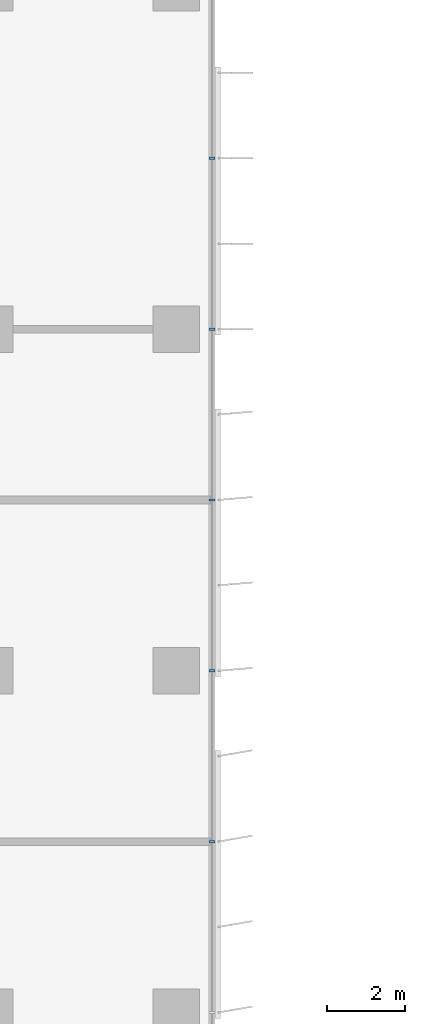
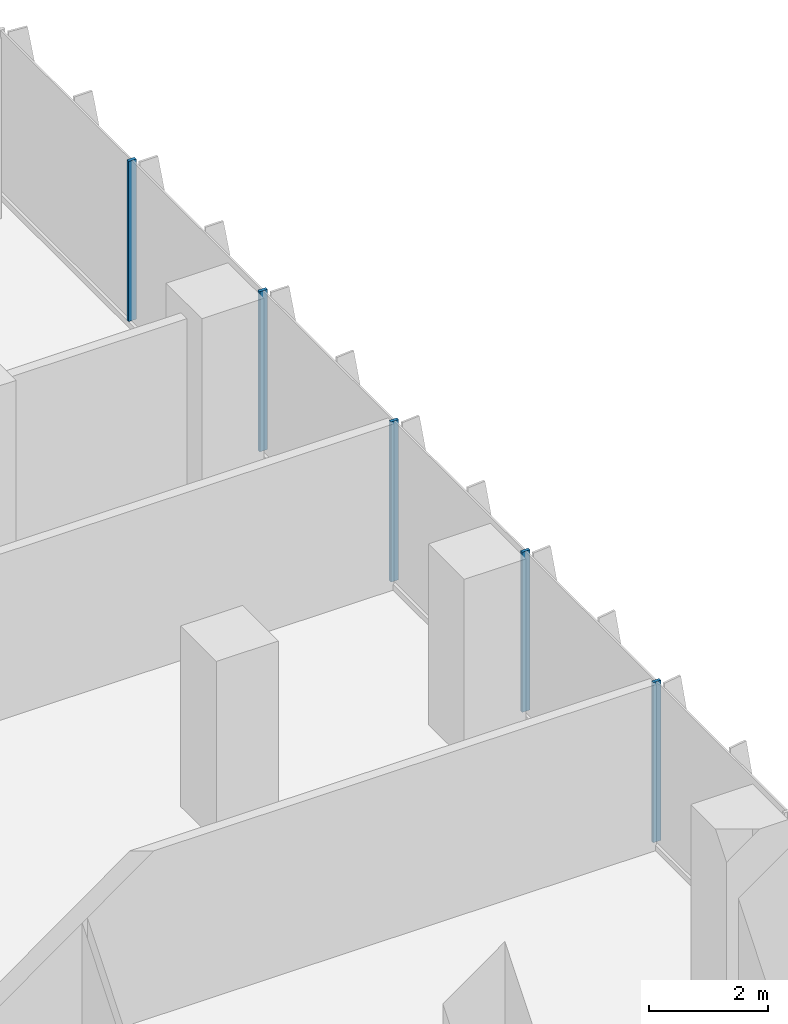
# One storey, part 5 of 22: 5 members, 1 element without a shape of its own.
"""IFC4 building model written with IfcOpenShell, lengths in metres."""

from ifc_helpers import new_model, si_unit, direction, frame, origin, origin_2d, place, context, subcontext, project, spatial, rectangle, extrude, source, transform, mapped, material, material_profile, profile_set, type_object, element, aggregate, save


model = new_model("IFC4")

# Units and contexts
model_context = context("Model", 3, precision=1e-05, world=origin(), true_north=direction((0.0, 1.0)))
body_context = subcontext(model_context, "Body", "Model", "MODEL_VIEW")
ifc_project = project(units=[si_unit("LENGTHUNIT", "METRE"), si_unit("AREAUNIT", "SQUARE_METRE"), si_unit("VOLUMEUNIT", "CUBIC_METRE"), si_unit("PLANEANGLEUNIT", "RADIAN"), si_unit("MASSUNIT", "GRAM", prefix="KILO")], contexts=[model_context])

# Site, building, storey
site_placement = place(None, origin())
site = spatial("IfcSite", under=ifc_project, at=site_placement, CompositionType="ELEMENT")
building_placement = place(site_placement, origin())
building = spatial("IfcBuilding", under=site, at=building_placement, Name="Kemantara Hotel Tower", CompositionType="ELEMENT")
storey_placement = place(building_placement, frame((0.0, 0.0, 125.89990234375)))
storey = spatial("IfcBuildingStorey", under=building, at=storey_placement, Name="L30", CompositionType="ELEMENT", Elevation=125.89990234375)

# Curtain wall, members
ifc_material_1 = material(Name="Low-E tinted double insulated glass 36 mm", Category="glass")
curtain_wall_type = type_object("IfcCurtainWallType", Name="TOWER CURTAIN WALL, FRONT FACES", PredefinedType="USERDEFINED", material=ifc_material_1)
curtain_wall_placement = place(storey_placement, origin())
curtain_wall = element("IfcCurtainWall", 1, at=curtain_wall_placement, inside=storey, type_object=curtain_wall_type, Name="CW4 L30 T2-R14-1", ObjectType="TOWER CURTAIN WALL, FRONT FACES", PredefinedType="USERDEFINED")
ifc_material_2 = material(Name="Aluminium 6063-T6 bronze anodised", Category="aluminium")
ifc_material_profile = material_profile(ifc_material_2, rectangle(XDim=0.14990234375, YDim=0.06005859375, at=origin_2d()), Name="TOWER CURTAIN WALL, FRONT FACES MULLION")
ifc_profile_set = profile_set([ifc_material_profile], Name="Aluminium 6063-T6 bronze anodised")
member_type = type_object("IfcMemberType", Name="TOWER CURTAIN WALL, FRONT FACES MULLION", PredefinedType="MULLION", material=ifc_profile_set)
shared_shape = source(origin(), body_context, "Body", "SweptSolid", [
    extrude(rectangle(XDim=0.14990234375, YDim=0.06005859375, at=origin_2d()), origin(), (0.0, 0.0, 1.0), 3.280029296875),
])
member_1_placement = place(storey_placement, frame((26.72509765625, 31.800048828125, 0.1201171875), z_axis=(0.0, 0.0, 1.0), x_axis=(-1.0, 0.0, 0.0)))
member_1 = element("IfcMember", 2, at=member_1_placement, type_object=member_type, Name="CW4 mullion T2-R14-1.4", PredefinedType="MULLION", context=body_context, shape_type="MappedRepresentation", body=[
    mapped(shared_shape, transform((0.0, 0.0, 0.0))),
])
member_2_placement = place(storey_placement, frame((26.72509765625, 36.199951171875, 0.1201171875), z_axis=(0.0, 0.0, 1.0), x_axis=(-1.0, 0.0, 0.0)))
member_2 = element("IfcMember", 3, at=member_2_placement, type_object=member_type, Name="CW4 mullion T2-R14-1.5", PredefinedType="MULLION", context=body_context, shape_type="MappedRepresentation", body=[
    mapped(shared_shape, transform((0.0, 0.0, 0.0))),
])
member_3_placement = place(storey_placement, frame((26.72509765625, 40.60009765625, 0.1201171875), z_axis=(0.0, 0.0, 1.0), x_axis=(-1.0, 0.0, 0.0)))
member_3 = element("IfcMember", 4, at=member_3_placement, type_object=member_type, Name="CW4 mullion T2-R14-1.6", PredefinedType="MULLION", context=body_context, shape_type="MappedRepresentation", body=[
    mapped(shared_shape, transform((0.0, 0.0, 0.0))),
])
member_4_placement = place(storey_placement, frame((26.72509765625, 45.0, 0.1201171875), z_axis=(0.0, 0.0, 1.0), x_axis=(-1.0, 0.0, 0.0)))
member_4 = element("IfcMember", 5, at=member_4_placement, type_object=member_type, Name="CW4 mullion T2-R14-1.7", PredefinedType="MULLION", context=body_context, shape_type="MappedRepresentation", body=[
    mapped(shared_shape, transform((0.0, 0.0, 0.0))),
])
member_5_placement = place(storey_placement, frame((26.72509765625, 49.39990234375, 0.1201171875), z_axis=(0.0, 0.0, 1.0), x_axis=(-1.0, 0.0, 0.0)))
member_5 = element("IfcMember", 6, at=member_5_placement, type_object=member_type, Name="CW4 mullion T2-R14-1.8", PredefinedType="MULLION", context=body_context, shape_type="MappedRepresentation", body=[
    mapped(shared_shape, transform((0.0, 0.0, 0.0))),
])
aggregate(curtain_wall, [member_1, member_2, member_3, member_4, member_5])

save(model, "model.ifc")
